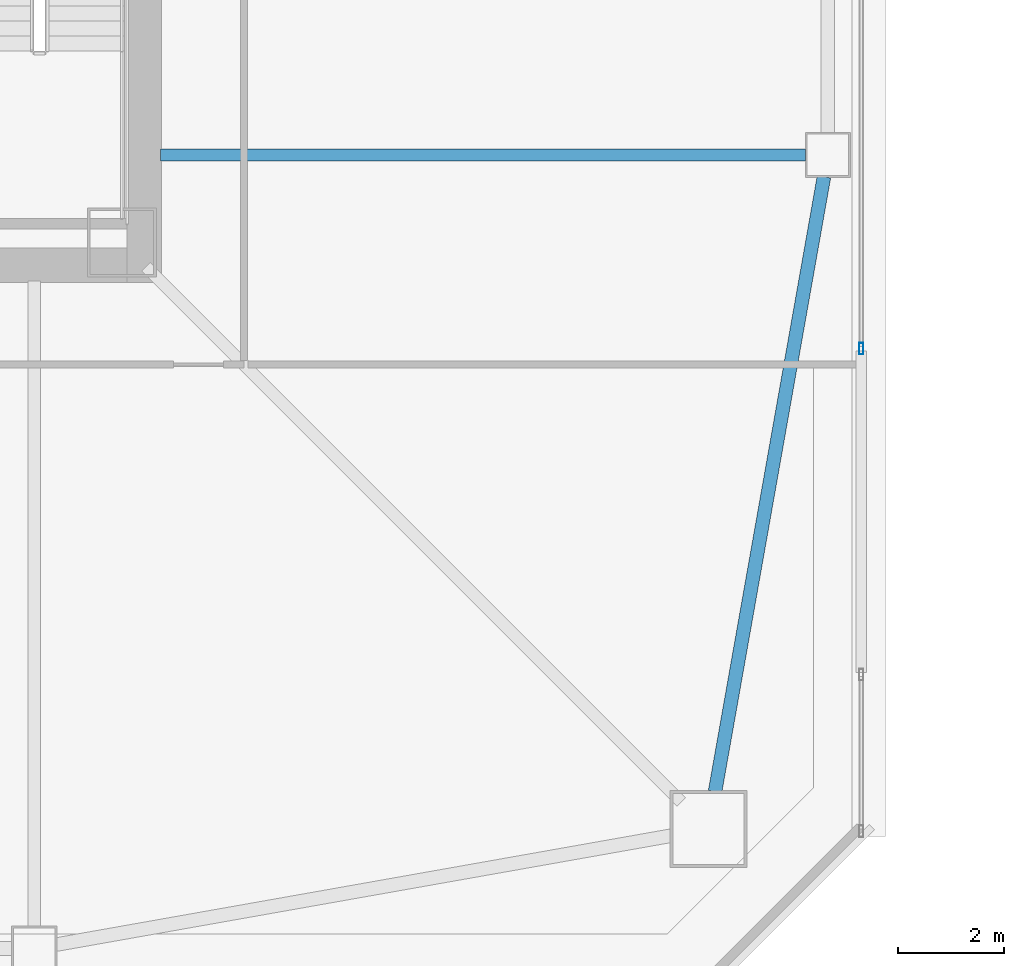
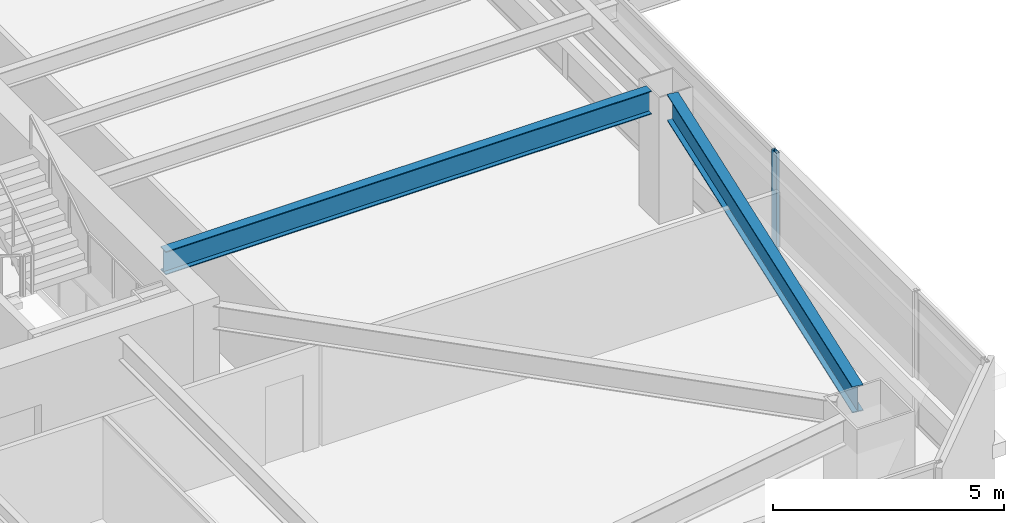
# One storey, part 9 of 47: 2 beams, 1 member, 1 element without a shape of its own.
"""IFC4 building model written with IfcOpenShell, lengths in metres."""

import ifcopenshell
import ifcopenshell.guid

model = None  # the IFC model being written
_history = None  # IfcOwnerHistory: only IFC2X3 demands one
_inside = {}  # id of a spatial element -> (the spatial element, [elements in it])
_under = {}  # id of a project, library or spatial element -> (it, [spatial elements below it])
_declared = {}  # id of a project -> (the project, [libraries it declares])
_typed = {}  # id of a type object -> (the type object, [elements of that type])
_made_of = {}  # id of a material, layer set ... -> (it, [elements and type objects made of it])


def new_model(schema):
    """Start an empty IFC model of exactly this schema.

    Asked for "IFC4X3", IfcOpenShell would pick the latest addendum, in which some entities
    have other attributes; the version numbers below select the first issue.
    IFC2X3 requires an IfcOwnerHistory on every rooted entity: one is made here for all.
    """
    global model, _history
    if schema == "IFC4X3":
        model = ifcopenshell.file(schema_version=(4, 3, 0, 0))
    else:
        model = ifcopenshell.file(schema=schema)
    _inside.clear()
    _under.clear()
    _declared.clear()
    _typed.clear()
    _made_of.clear()
    _history = None
    if model.schema == "IFC2X3":
        org = make("IfcOrganization", Name="unknown")
        user = make(
            "IfcPersonAndOrganization",
            ThePerson=make("IfcPerson", FamilyName="unknown"),
            TheOrganization=org,
        )
        app = make(
            "IfcApplication",
            ApplicationDeveloper=org,
            Version="unknown",
            ApplicationFullName="unknown",
            ApplicationIdentifier="unknown",
        )
        _history = make(
            "IfcOwnerHistory",
            OwningUser=user,
            OwningApplication=app,
            ChangeAction="ADDED",
            CreationDate=0,
        )
    return model


def make(cls, **values):
    """One entity of the class cls with the attributes given. An attribute that is None is left unset."""
    return model.create_entity(
        cls, **{name: value for name, value in values.items() if value is not None}
    )


def rooted(cls, **values):
    """An entity with a GlobalId (a new one), such as an element, a storey or a relation."""
    return make(cls, GlobalId=ifcopenshell.guid.new(), OwnerHistory=_history, **values)


def si_unit(unit_type, name, prefix=None):
    """IfcSIUnit, for example si_unit("LENGTHUNIT", "METRE", prefix="MILLI")."""
    return make("IfcSIUnit", UnitType=unit_type, Prefix=prefix, Name=name)


def assignment(units):
    """IfcUnitAssignment: the units of a project."""
    return None if units is None else make("IfcUnitAssignment", Units=units)


def point(xyz):
    """IfcCartesianPoint."""
    return None if xyz is None else make("IfcCartesianPoint", Coordinates=xyz)


def direction(xyz):
    """IfcDirection."""
    return None if xyz is None else make("IfcDirection", DirectionRatios=xyz)


def frame(location, z_axis=None, x_axis=None):
    """IfcAxis2Placement3D, a coordinate frame: its origin and axes. An axis left out is left unset."""
    return make(
        "IfcAxis2Placement3D",
        Location=point(location),
        Axis=direction(z_axis),
        RefDirection=direction(x_axis),
    )


def frame_2d(location, x_axis=None):
    """IfcAxis2Placement2D, a coordinate frame in the plane: its origin and x axis."""
    return make(
        "IfcAxis2Placement2D", Location=point(location), RefDirection=direction(x_axis)
    )


def origin():
    """The frame at (0, 0, 0) with its axes left unset."""
    return frame((0.0, 0.0, 0.0))


def origin_2d():
    """The frame at (0, 0) in the plane with its x axis left unset."""
    return frame_2d((0.0, 0.0))


def place(relative_to, where):
    """IfcLocalPlacement: puts the frame where relative to a parent placement (None: the world)."""
    return make(
        "IfcLocalPlacement", PlacementRelTo=relative_to, RelativePlacement=where
    )


def context(
    kind, dimensions, precision=None, world=None, true_north=None, identifier=None
):
    """IfcGeometricRepresentationContext, for example the 3D "Model" context."""
    return make(
        "IfcGeometricRepresentationContext",
        ContextIdentifier=identifier,
        ContextType=kind,
        CoordinateSpaceDimension=dimensions,
        Precision=precision,
        WorldCoordinateSystem=world,
        TrueNorth=true_north,
    )


def subcontext(parent, identifier, kind, view, scale=None):
    """IfcGeometricRepresentationSubContext, for example "Body" below "Model"."""
    return make(
        "IfcGeometricRepresentationSubContext",
        ContextIdentifier=identifier,
        ContextType=kind,
        ParentContext=parent,
        TargetScale=scale,
        TargetView=view,
    )


def project(units=None, contexts=None):
    """IfcProject with its units and contexts."""
    return rooted(
        "IfcProject",
        Name="project",
        RepresentationContexts=contexts,
        UnitsInContext=assignment(units),
    )


def spatial(cls, under=None, at=None, **own):
    """A site, building, storey or space (cls), placed at a placement, below another one or the project."""
    s = rooted(cls, ObjectPlacement=at, **own)
    if under is not None:
        _under.setdefault(under.id(), (under, []))[1].append(s)
    return s


def profile(cls, at=None, kind="AREA", **sizes):
    """A parametric profile (cls). Its sizes go by their IFC names, for example OverallWidth=200.0."""
    return make(cls, ProfileType=kind, Position=at, **sizes)


def hollow_rectangle(**sizes):
    """IfcRectangleHollowProfileDef."""
    return profile("IfcRectangleHollowProfileDef", **sizes)


def i_section(**sizes):
    """IfcIShapeProfileDef."""
    return profile("IfcIShapeProfileDef", **sizes)


def extrude(swept, where, along, depth):
    """IfcExtrudedAreaSolid: the profile swept, set in the frame where, extruded along a direction by depth."""
    return make(
        "IfcExtrudedAreaSolid",
        SweptArea=swept,
        Position=where,
        ExtrudedDirection=direction(along),
        Depth=depth,
    )


def shape(context_of_items, identifier, shape_type, items):
    """IfcShapeRepresentation: the items that make up one representation, for example the "Body"."""
    return make(
        "IfcShapeRepresentation",
        ContextOfItems=context_of_items,
        RepresentationIdentifier=identifier,
        RepresentationType=shape_type,
        Items=items,
    )


def material(Name=None, Category=None):
    """IfcMaterial."""
    return make("IfcMaterial", Name=Name, Category=Category)


def material_profile(
    of_material, cross_section, Name=None, Category=None, Priority=None
):
    """IfcMaterialProfile: a cross section and its material."""
    return make(
        "IfcMaterialProfile",
        Name=Name,
        Material=of_material,
        Profile=cross_section,
        Priority=Priority,
        Category=Category,
    )


def profile_set(profiles, Name=None, composite=None):
    """IfcMaterialProfileSet."""
    return make(
        "IfcMaterialProfileSet",
        Name=Name,
        MaterialProfiles=profiles,
        CompositeProfile=composite,
    )


def made_of(thing, what):
    """Note that an element or type object is made of a material, layer set ...; save() writes the relation."""
    if what is not None:
        _made_of.setdefault(what.id(), (what, []))[1].append(thing)
    return thing


def type_object(cls, material=None, **own):
    """A type object (cls), such as IfcWallType, which elements share."""
    return made_of(rooted(cls, **own), material)


def element(
    cls,
    number,
    at=None,
    inside=None,
    cuts=None,
    type_object=None,
    material=None,
    context=None,
    identifier="Body",
    shape_type=None,
    held_by="IfcProductDefinitionShape",
    body=None,
    shapes=None,
    **own,
):
    """One element of the class cls, such as IfcWall. Its Tag is "e" and its number.

    at: its placement. inside: the storey or other place that contains it. cuts: it is an
    opening in that element (IfcRelVoidsElement). A single representation is given by context,
    identifier, shape_type and body (its items); several are given by shapes. held_by: the class
    of the entity that holds the representations. save() writes the other relations.
    """
    e = rooted(cls, Tag="e%d" % number, ObjectPlacement=at, **own)
    if body is not None:
        shapes = [shape(context, identifier, shape_type, body)]
    if shapes is not None:
        e.Representation = make(held_by, Representations=shapes)
    if inside is not None:
        _inside.setdefault(inside.id(), (inside, []))[1].append(e)
    if cuts is not None:
        rooted(
            "IfcRelVoidsElement", RelatingBuildingElement=cuts, RelatedOpeningElement=e
        )
    if type_object is not None:
        _typed.setdefault(type_object.id(), (type_object, []))[1].append(e)
    return made_of(e, material)


def aggregate(whole, parts):
    """IfcRelAggregates: a whole, such as a stair, and the parts it consists of."""
    return rooted("IfcRelAggregates", RelatingObject=whole, RelatedObjects=parts)


def save(model, path):
    """Write the relations noted so far, then the file.

    IfcRelAggregates (storeys below a building ...), IfcRelContainedInSpatialStructure (elements
    in a storey), IfcRelDefinesByType, IfcRelAssociatesMaterial and IfcRelDeclares: one each for
    every whole, place, type object, material and project.
    """
    for whole, parts in _under.values():
        aggregate(whole, parts)
    for where, things in _inside.values():
        rooted(
            "IfcRelContainedInSpatialStructure",
            RelatedElements=things,
            RelatingStructure=where,
        )
    for kind, things in _typed.values():
        rooted("IfcRelDefinesByType", RelatedObjects=things, RelatingType=kind)
    for what, things in _made_of.values():
        rooted("IfcRelAssociatesMaterial", RelatedObjects=things, RelatingMaterial=what)
    for by, libraries in _declared.values():
        rooted("IfcRelDeclares", RelatingContext=by, RelatedDefinitions=libraries)
    model.write(path)


model = new_model("IFC4")

# Units and contexts
model_context = context("Model", 3, precision=1e-05, world=origin(), true_north=direction((0.0, 1.0)))
body_context = subcontext(model_context, "Body", "Model", "MODEL_VIEW")
ifc_project = project(units=[si_unit("LENGTHUNIT", "METRE"), si_unit("AREAUNIT", "SQUARE_METRE"), si_unit("VOLUMEUNIT", "CUBIC_METRE"), si_unit("PLANEANGLEUNIT", "RADIAN"), si_unit("MASSUNIT", "GRAM", prefix="KILO")], contexts=[model_context])

# Site, building, storey
site_placement = place(None, origin())
site = spatial("IfcSite", under=ifc_project, at=site_placement, CompositionType="ELEMENT")
building_placement = place(site_placement, origin())
building = spatial("IfcBuilding", under=site, at=building_placement, Name="Tashvorn Skyway Center", CompositionType="ELEMENT")
storey_placement = place(building_placement, frame((0.0, 0.0, 81.39990234375)))
storey = spatial("IfcBuildingStorey", under=building, at=storey_placement, Name="L21", CompositionType="ELEMENT", Elevation=81.39990234375)

# Beams
ifc_material_1 = material(Name="Steel ASTM A992 Grade 50", Category="steel")
ifc_material_profile_1 = material_profile(ifc_material_1, i_section(OverallWidth=0.22998046875, OverallDepth=0.616943359375, WebThickness=0.01318359375, FlangeThickness=0.022216796875, at=origin_2d()), Name="W24X94")
ifc_profile_set_1 = profile_set([ifc_material_profile_1], Name="Steel ASTM A992 Grade 50")
beam_type_1 = type_object("IfcBeamType", Name="BM-BEAM-W24X94", PredefinedType="BEAM", material=ifc_profile_set_1)
beam_1_placement = place(storey_placement, frame((61.929931640625, 26.60009765625, 3.04150390625), z_axis=(-1.0, 0.0, 0.0), x_axis=(0.0, -1.0, 0.0)))
element("IfcBeam", 1, at=beam_1_placement, inside=storey, type_object=beam_type_1, Name="Tower 1 L21 Primary Floor Girder FC-E1", PredefinedType="BEAM", context=body_context, shape_type="SweptSolid", body=[
    extrude(i_section(OverallWidth=0.22998046875, OverallDepth=0.616943359375, WebThickness=0.01318359375, FlangeThickness=0.022216796875, at=origin_2d()), origin(), (0.0, 0.0, 1.0), 12.14990234375),
])
ifc_material_profile_2 = material_profile(ifc_material_1, i_section(OverallWidth=0.256103515625, OverallDepth=0.693115234375, WebThickness=0.014404296875, FlangeThickness=0.023681640625, at=origin_2d()), Name="W27X114")
ifc_profile_set_2 = profile_set([ifc_material_profile_2], Name="Steel ASTM A992 Grade 50")
beam_type_2 = type_object("IfcBeamType", Name="BM-SPANDREL-W27X114", PredefinedType="SPANDREL", material=ifc_profile_set_2)
beam_2_placement = place(storey_placement, frame((60.2255859375, 14.60888671875, 3.003662109375), z_axis=(0.174437966698, 0.98466816531, 0.0), x_axis=(-0.98466816531, 0.174437966698, 0.0)))
element("IfcBeam", 2, at=beam_2_placement, inside=storey, type_object=beam_type_2, Name="Tower 1 L21 Spandrel Beam 04", PredefinedType="SPANDREL", context=body_context, shape_type="SweptSolid", body=[
    extrude(i_section(OverallWidth=0.256103515625, OverallDepth=0.693115234375, WebThickness=0.014404296875, FlangeThickness=0.023681640625, at=origin_2d()), origin(), (0.0, 0.0, 1.0), 11.7578125),
])

# Curtain wall, member
ifc_material_2 = material(Name="Thermally broken bronze-anodized aluminium 6063-T6", Category="aluminium")
curtain_wall_type = type_object("IfcCurtainWallType", Name="CW-CW-Z2", PredefinedType="NOTDEFINED", material=ifc_material_2)
curtain_wall_placement = place(storey_placement, origin())
curtain_wall = element("IfcCurtainWall", 3, at=curtain_wall_placement, inside=storey, type_object=curtain_wall_type, Name="Tower 1 L21 East Unitised Curtain Wall Glazing Group 2", PredefinedType="NOTDEFINED")
ifc_material_profile_3 = material_profile(ifc_material_2, hollow_rectangle(XDim=0.080078125, YDim=0.219970703125, WallThickness=0.0048828125, at=origin_2d()), Name="ALU-MULL-80x220")
ifc_profile_set_3 = profile_set([ifc_material_profile_3], Name="Thermally broken bronze-anodized aluminium 6063-T6")
member_type = type_object("IfcMemberType", Name="CWM-CW-Z2", PredefinedType="MULLION", material=ifc_profile_set_3)
member_placement = place(storey_placement, frame((62.97998046875, 22.949951171875, 0.0), z_axis=(0.0, 0.0, 1.0), x_axis=(1.0, 0.0, 0.0)))
member = element("IfcMember", 4, at=member_placement, type_object=member_type, Name="CW-Z2 mullion 3", PredefinedType="MULLION", context=body_context, shape_type="SweptSolid", body=[
    extrude(hollow_rectangle(XDim=0.080078125, YDim=0.219970703125, WallThickness=0.0048828125, at=origin_2d()), origin(), (0.0, 0.0, 1.0), 3.550048828125),
])
aggregate(curtain_wall, [member])

save(model, "model.ifc")
